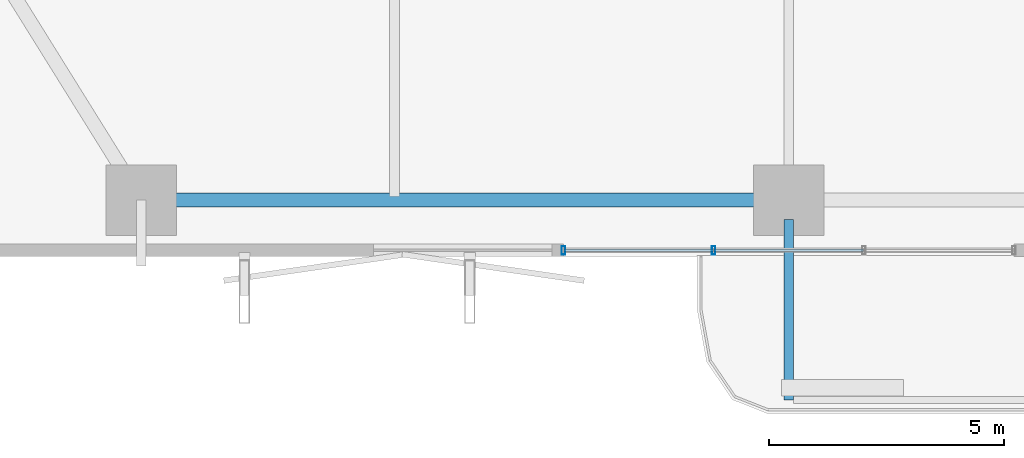
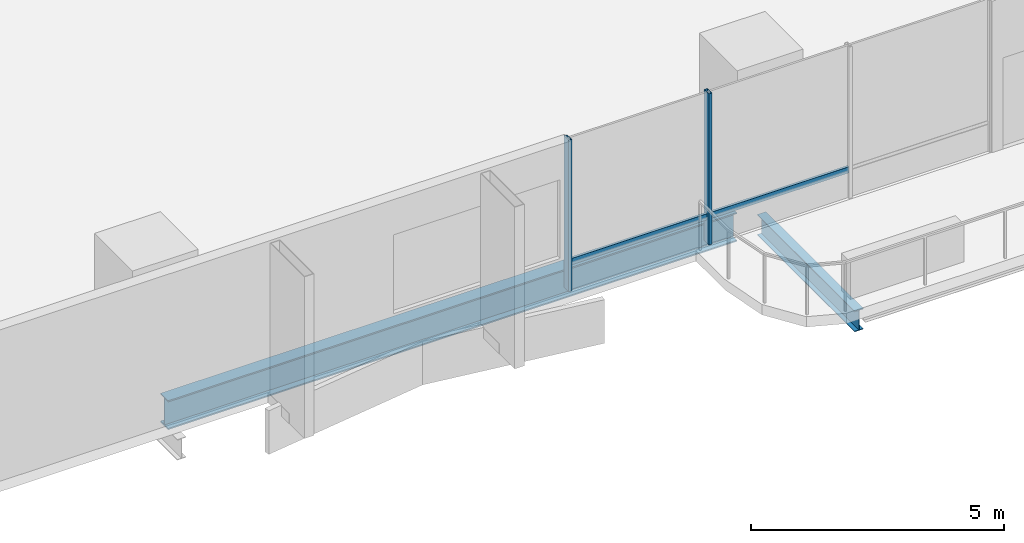
# One storey, part 2 of 23: 4 members, 2 beams, 1 element without a shape of its own.
"""IFC4 building model written with IfcOpenShell, lengths in metres."""

from ifc_helpers import new_model, si_unit, direction, frame, origin, origin_2d, place, context, subcontext, project, spatial, hollow_rectangle, i_section, extrude, material, layer, layer_set, material_profile, profile_set, type_object, element, aggregate, save


model = new_model("IFC4")

# Units and contexts
model_context = context("Model", 3, precision=1e-05, world=origin(), true_north=direction((0.0, 1.0)))
body_context = subcontext(model_context, "Body", "Model", "MODEL_VIEW")
ifc_project = project(units=[si_unit("LENGTHUNIT", "METRE"), si_unit("AREAUNIT", "SQUARE_METRE"), si_unit("VOLUMEUNIT", "CUBIC_METRE"), si_unit("PLANEANGLEUNIT", "RADIAN"), si_unit("MASSUNIT", "GRAM", prefix="KILO")], contexts=[model_context])

# Site, building, storey
site_placement = place(None, origin())
site = spatial("IfcSite", under=ifc_project, at=site_placement, CompositionType="ELEMENT")
building_placement = place(site_placement, origin())
building = spatial("IfcBuilding", under=site, at=building_placement, Name="Belovzor Exchange Tower", CompositionType="ELEMENT")
storey_placement = place(building_placement, frame((0.0, 0.0, 84.60009765625)))
storey = spatial("IfcBuildingStorey", under=building, at=storey_placement, Name="L20", CompositionType="ELEMENT", Elevation=84.60009765625)

# Beam
ifc_material_1 = material(Name="Steel S355", Category="steel")
ifc_material_profile_1 = material_profile(ifc_material_1, i_section(OverallWidth=0.199951171875, OverallDepth=0.5, WebThickness=0.01025390625, FlangeThickness=0.01611328125, at=origin_2d()))
ifc_profile_set_1 = profile_set([ifc_material_profile_1], Name="Steel S355")
beam_type_1 = type_object("IfcBeamType", Name="Planted Balcony Cantilever Beam IPE 500", PredefinedType="BEAM", material=ifc_profile_set_1)
beam_1_placement = place(storey_placement, frame((28.800048828125, 1.68798828125, -0.5), z_axis=(0.0, -1.0, 0.0), x_axis=(1.0, 0.0, 0.0)))
element("IfcBeam", 1, at=beam_1_placement, inside=storey, type_object=beam_type_1, Name="BC-500 Planted Balcony Cantilever Beam IPE 500", PredefinedType="BEAM", context=body_context, shape_type="SweptSolid", body=[
    extrude(i_section(OverallWidth=0.199951171875, OverallDepth=0.5, WebThickness=0.01025390625, FlangeThickness=0.01611328125, at=origin_2d()), origin(), (0.0, 0.0, 1.0), 3.85009765625),
])

# Curtain wall, members
ifc_material_2 = material(Name="Anodised Aluminium Framing", Category="aluminium")
ifc_layer = layer(ifc_material_2, 0.179931640625)
ifc_layer_set = layer_set([ifc_layer], Name="Anodised Aluminium Framing")
curtain_wall_type = type_object("IfcCurtainWallType", Name="Recessed Loggia Low-Iron Triple-Glazed Curtain Wall", PredefinedType="NOTDEFINED", material=ifc_layer_set)
curtain_wall_placement = place(storey_placement, origin())
curtain_wall = element("IfcCurtainWall", 2, at=curtain_wall_placement, inside=storey, type_object=curtain_wall_type, Name="CW3 Recessed Loggia Low-Iron Triple-Glazed Curtain Wall L20", PredefinedType="NOTDEFINED")
ifc_material_3 = material(Name="Steel S355", Category="steel")
ifc_material_profile_2 = material_profile(ifc_material_3, hollow_rectangle(XDim=0.074951171875, YDim=0.179931640625, WallThickness=0.0048828125, at=origin_2d()))
ifc_profile_set_2 = profile_set([ifc_material_profile_2], Name="Steel S355")
member_type_1 = type_object("IfcMemberType", Name="Thermally Broken Curtain Wall Mullion 180x75", PredefinedType="MULLION", material=ifc_profile_set_2)
member_1_placement = place(storey_placement, frame((27.199951171875, 1.030029296875, 0.0), z_axis=(0.0, 0.0, 1.0), x_axis=(-1.0, 0.0, 0.0)))
member_1 = element("IfcMember", 3, at=member_1_placement, type_object=member_type_1, Name="CW-M180 Curtain Wall Mullion 3", PredefinedType="MULLION", context=body_context, shape_type="SweptSolid", body=[
    extrude(hollow_rectangle(XDim=0.074951171875, YDim=0.179931640625, WallThickness=0.0048828125, at=origin_2d()), origin(), (0.0, 0.0, 1.0), 3.64990234375),
])
member_2_placement = place(storey_placement, frame((24.0, 1.030029296875, 0.0), z_axis=(0.0, 0.0, 1.0), x_axis=(-1.0, 0.0, 0.0)))
member_2 = element("IfcMember", 4, at=member_2_placement, type_object=member_type_1, Name="CW-M180 Curtain Wall Mullion 4", PredefinedType="MULLION", context=body_context, shape_type="SweptSolid", body=[
    extrude(hollow_rectangle(XDim=0.074951171875, YDim=0.179931640625, WallThickness=0.0048828125, at=origin_2d()), origin(), (0.0, 0.0, 1.0), 3.64990234375),
])
ifc_material_4 = material(Name="Steel S355", Category="steel")
ifc_material_profile_3 = material_profile(ifc_material_4, hollow_rectangle(XDim=0.06005859375, YDim=0.14990234375, WallThickness=0.00390625, at=origin_2d()))
ifc_profile_set_3 = profile_set([ifc_material_profile_3], Name="Steel S355")
member_type_2 = type_object("IfcMemberType", Name="Thermally Broken Curtain Wall Transom 150x60", PredefinedType="USERDEFINED", material=ifc_profile_set_3)
member_3_placement = place(storey_placement, frame((30.39208984375, 1.030029296875, 0.64990234375), z_axis=(-1.0, 0.0, 0.0), x_axis=(0.0, -1.0, 0.0)))
member_3 = element("IfcMember", 5, at=member_3_placement, type_object=member_type_2, Name="CW-T150 Curtain Wall Transom 2", ObjectType="TRANSOM", PredefinedType="USERDEFINED", context=body_context, shape_type="SweptSolid", body=[
    extrude(hollow_rectangle(XDim=0.06005859375, YDim=0.14990234375, WallThickness=0.00390625, at=origin_2d()), origin(), (0.0, 0.0, 1.0), 3.18408203125),
])
member_4_placement = place(storey_placement, frame((27.19189453125, 1.030029296875, 0.64990234375), z_axis=(-1.0, 0.0, 0.0), x_axis=(0.0, -1.0, 0.0)))
member_4 = element("IfcMember", 6, at=member_4_placement, type_object=member_type_2, Name="CW-T150 Curtain Wall Transom 3", ObjectType="TRANSOM", PredefinedType="USERDEFINED", context=body_context, shape_type="SweptSolid", body=[
    extrude(hollow_rectangle(XDim=0.06005859375, YDim=0.14990234375, WallThickness=0.00390625, at=origin_2d()), origin(), (0.0, 0.0, 1.0), 3.183837890625),
])
aggregate(curtain_wall, [member_1, member_2, member_3, member_4])

# Beam
ifc_material_5 = material(Name="Steel S355", Category="steel")
ifc_material_profile_4 = material_profile(ifc_material_5, i_section(OverallWidth=0.300048828125, OverallDepth=0.699951171875, WebThickness=0.01708984375, FlangeThickness=0.031982421875, at=origin_2d()))
ifc_profile_set_4 = profile_set([ifc_material_profile_4], Name="Steel S355")
beam_type_2 = type_object("IfcBeamType", Name="Zone 1 Primary Perimeter Girder HEB 700", PredefinedType="BEAM", material=ifc_profile_set_4)
beam_2_placement = place(storey_placement, frame((15.412109375, 2.10009765625, -0.60009765625), z_axis=(1.0, 0.0, 0.0), x_axis=(0.0, 1.0, 0.0)))
element("IfcBeam", 7, at=beam_2_placement, inside=storey, type_object=beam_type_2, Name="FG-Z1 Zone 1 Primary Perimeter Girder HEB 700", PredefinedType="BEAM", context=body_context, shape_type="SweptSolid", body=[
    extrude(i_section(OverallWidth=0.300048828125, OverallDepth=0.699951171875, WebThickness=0.01708984375, FlangeThickness=0.031982421875, at=origin_2d()), origin(), (0.0, 0.0, 1.0), 12.974853515625),
])

save(model, "model.ifc")
